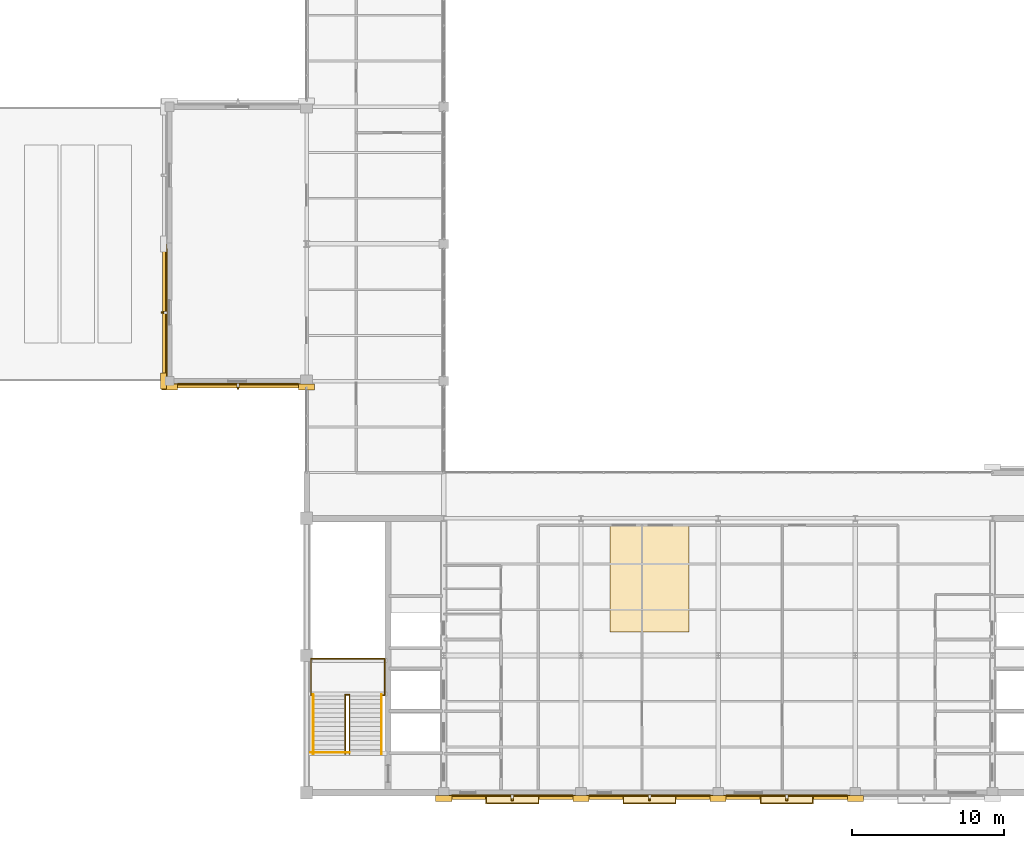
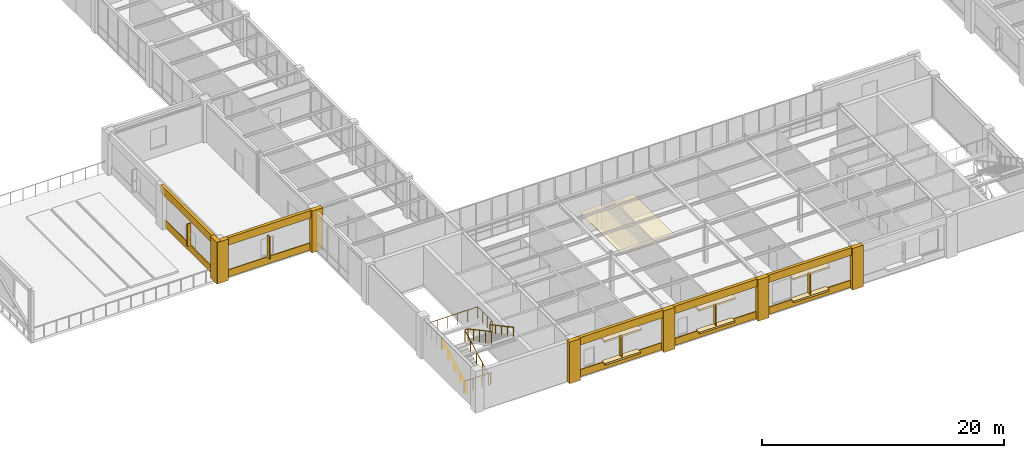
# One storey, part 92 of 97: 24 coverings, 5 railings, 5 shading devices.
"""IFC4 building model written with IfcOpenShell, lengths in metres."""

import ifcopenshell
import ifcopenshell.guid

model = None  # the IFC model being written
_history = None  # IfcOwnerHistory: only IFC2X3 demands one
_inside = {}  # id of a spatial element -> (the spatial element, [elements in it])
_under = {}  # id of a project, library or spatial element -> (it, [spatial elements below it])
_declared = {}  # id of a project -> (the project, [libraries it declares])
_typed = {}  # id of a type object -> (the type object, [elements of that type])
_made_of = {}  # id of a material, layer set ... -> (it, [elements and type objects made of it])


def new_model(schema):
    """Start an empty IFC model of exactly this schema.

    Asked for "IFC4X3", IfcOpenShell would pick the latest addendum, in which some entities
    have other attributes; the version numbers below select the first issue.
    IFC2X3 requires an IfcOwnerHistory on every rooted entity: one is made here for all.
    """
    global model, _history
    if schema == "IFC4X3":
        model = ifcopenshell.file(schema_version=(4, 3, 0, 0))
    else:
        model = ifcopenshell.file(schema=schema)
    _inside.clear()
    _under.clear()
    _declared.clear()
    _typed.clear()
    _made_of.clear()
    _history = None
    if model.schema == "IFC2X3":
        org = make("IfcOrganization", Name="unknown")
        user = make(
            "IfcPersonAndOrganization",
            ThePerson=make("IfcPerson", FamilyName="unknown"),
            TheOrganization=org,
        )
        app = make(
            "IfcApplication",
            ApplicationDeveloper=org,
            Version="unknown",
            ApplicationFullName="unknown",
            ApplicationIdentifier="unknown",
        )
        _history = make(
            "IfcOwnerHistory",
            OwningUser=user,
            OwningApplication=app,
            ChangeAction="ADDED",
            CreationDate=0,
        )
    return model


def make(cls, **values):
    """One entity of the class cls with the attributes given. An attribute that is None is left unset."""
    return model.create_entity(
        cls, **{name: value for name, value in values.items() if value is not None}
    )


def rooted(cls, **values):
    """An entity with a GlobalId (a new one), such as an element, a storey or a relation."""
    return make(cls, GlobalId=ifcopenshell.guid.new(), OwnerHistory=_history, **values)


def si_unit(unit_type, name, prefix=None):
    """IfcSIUnit, for example si_unit("LENGTHUNIT", "METRE", prefix="MILLI")."""
    return make("IfcSIUnit", UnitType=unit_type, Prefix=prefix, Name=name)


def assignment(units):
    """IfcUnitAssignment: the units of a project."""
    return None if units is None else make("IfcUnitAssignment", Units=units)


def point(xyz):
    """IfcCartesianPoint."""
    return None if xyz is None else make("IfcCartesianPoint", Coordinates=xyz)


def direction(xyz):
    """IfcDirection."""
    return None if xyz is None else make("IfcDirection", DirectionRatios=xyz)


def frame(location, z_axis=None, x_axis=None):
    """IfcAxis2Placement3D, a coordinate frame: its origin and axes. An axis left out is left unset."""
    return make(
        "IfcAxis2Placement3D",
        Location=point(location),
        Axis=direction(z_axis),
        RefDirection=direction(x_axis),
    )


def frame_2d(location, x_axis=None):
    """IfcAxis2Placement2D, a coordinate frame in the plane: its origin and x axis."""
    return make(
        "IfcAxis2Placement2D", Location=point(location), RefDirection=direction(x_axis)
    )


def origin():
    """The frame at (0, 0, 0) with its axes left unset."""
    return frame((0.0, 0.0, 0.0))


def origin_2d():
    """The frame at (0, 0) in the plane with its x axis left unset."""
    return frame_2d((0.0, 0.0))


def place(relative_to, where):
    """IfcLocalPlacement: puts the frame where relative to a parent placement (None: the world)."""
    return make(
        "IfcLocalPlacement", PlacementRelTo=relative_to, RelativePlacement=where
    )


def context(
    kind, dimensions, precision=None, world=None, true_north=None, identifier=None
):
    """IfcGeometricRepresentationContext, for example the 3D "Model" context."""
    return make(
        "IfcGeometricRepresentationContext",
        ContextIdentifier=identifier,
        ContextType=kind,
        CoordinateSpaceDimension=dimensions,
        Precision=precision,
        WorldCoordinateSystem=world,
        TrueNorth=true_north,
    )


def subcontext(parent, identifier, kind, view, scale=None):
    """IfcGeometricRepresentationSubContext, for example "Body" below "Model"."""
    return make(
        "IfcGeometricRepresentationSubContext",
        ContextIdentifier=identifier,
        ContextType=kind,
        ParentContext=parent,
        TargetScale=scale,
        TargetView=view,
    )


def project(units=None, contexts=None):
    """IfcProject with its units and contexts."""
    return rooted(
        "IfcProject",
        Name="project",
        RepresentationContexts=contexts,
        UnitsInContext=assignment(units),
    )


def spatial(cls, under=None, at=None, **own):
    """A site, building, storey or space (cls), placed at a placement, below another one or the project."""
    s = rooted(cls, ObjectPlacement=at, **own)
    if under is not None:
        _under.setdefault(under.id(), (under, []))[1].append(s)
    return s


def profile(cls, at=None, kind="AREA", **sizes):
    """A parametric profile (cls). Its sizes go by their IFC names, for example OverallWidth=200.0."""
    return make(cls, ProfileType=kind, Position=at, **sizes)


def rectangle(**sizes):
    """IfcRectangleProfileDef."""
    return profile("IfcRectangleProfileDef", **sizes)


def circle(**sizes):
    """IfcCircleProfileDef."""
    return profile("IfcCircleProfileDef", **sizes)


def extrude(swept, where, along, depth):
    """IfcExtrudedAreaSolid: the profile swept, set in the frame where, extruded along a direction by depth."""
    return make(
        "IfcExtrudedAreaSolid",
        SweptArea=swept,
        Position=where,
        ExtrudedDirection=direction(along),
        Depth=depth,
    )


def shape(context_of_items, identifier, shape_type, items):
    """IfcShapeRepresentation: the items that make up one representation, for example the "Body"."""
    return make(
        "IfcShapeRepresentation",
        ContextOfItems=context_of_items,
        RepresentationIdentifier=identifier,
        RepresentationType=shape_type,
        Items=items,
    )


def material(Name=None, Category=None):
    """IfcMaterial."""
    return make("IfcMaterial", Name=Name, Category=Category)


def layer(
    of_material, thickness, ventilated=None, Name=None, Category=None, Priority=None
):
    """IfcMaterialLayer: one layer of a wall or slab, of a material (None: an air gap)."""
    return make(
        "IfcMaterialLayer",
        Material=of_material,
        LayerThickness=thickness,
        IsVentilated=ventilated,
        Name=Name,
        Category=Category,
        Priority=Priority,
    )


def layer_set(layers, Name=None):
    """IfcMaterialLayerSet."""
    return make("IfcMaterialLayerSet", MaterialLayers=layers, LayerSetName=Name)


def made_of(thing, what):
    """Note that an element or type object is made of a material, layer set ...; save() writes the relation."""
    if what is not None:
        _made_of.setdefault(what.id(), (what, []))[1].append(thing)
    return thing


def type_object(cls, material=None, **own):
    """A type object (cls), such as IfcWallType, which elements share."""
    return made_of(rooted(cls, **own), material)


def element(
    cls,
    number,
    at=None,
    inside=None,
    cuts=None,
    type_object=None,
    material=None,
    context=None,
    identifier="Body",
    shape_type=None,
    held_by="IfcProductDefinitionShape",
    body=None,
    shapes=None,
    **own,
):
    """One element of the class cls, such as IfcWall. Its Tag is "e" and its number.

    at: its placement. inside: the storey or other place that contains it. cuts: it is an
    opening in that element (IfcRelVoidsElement). A single representation is given by context,
    identifier, shape_type and body (its items); several are given by shapes. held_by: the class
    of the entity that holds the representations. save() writes the other relations.
    """
    e = rooted(cls, Tag="e%d" % number, ObjectPlacement=at, **own)
    if body is not None:
        shapes = [shape(context, identifier, shape_type, body)]
    if shapes is not None:
        e.Representation = make(held_by, Representations=shapes)
    if inside is not None:
        _inside.setdefault(inside.id(), (inside, []))[1].append(e)
    if cuts is not None:
        rooted(
            "IfcRelVoidsElement", RelatingBuildingElement=cuts, RelatedOpeningElement=e
        )
    if type_object is not None:
        _typed.setdefault(type_object.id(), (type_object, []))[1].append(e)
    return made_of(e, material)


def aggregate(whole, parts):
    """IfcRelAggregates: a whole, such as a stair, and the parts it consists of."""
    return rooted("IfcRelAggregates", RelatingObject=whole, RelatedObjects=parts)


def save(model, path):
    """Write the relations noted so far, then the file.

    IfcRelAggregates (storeys below a building ...), IfcRelContainedInSpatialStructure (elements
    in a storey), IfcRelDefinesByType, IfcRelAssociatesMaterial and IfcRelDeclares: one each for
    every whole, place, type object, material and project.
    """
    for whole, parts in _under.values():
        aggregate(whole, parts)
    for where, things in _inside.values():
        rooted(
            "IfcRelContainedInSpatialStructure",
            RelatedElements=things,
            RelatingStructure=where,
        )
    for kind, things in _typed.values():
        rooted("IfcRelDefinesByType", RelatedObjects=things, RelatingType=kind)
    for what, things in _made_of.values():
        rooted("IfcRelAssociatesMaterial", RelatedObjects=things, RelatingMaterial=what)
    for by, libraries in _declared.values():
        rooted("IfcRelDeclares", RelatingContext=by, RelatedDefinitions=libraries)
    model.write(path)


model = new_model("IFC4")

# Units and contexts
model_context = context("Model", 3, precision=1e-05, world=origin(), true_north=direction((0.0, 1.0)))
body_context = subcontext(model_context, "Body", "Model", "MODEL_VIEW")
ifc_project = project(units=[si_unit("LENGTHUNIT", "METRE"), si_unit("AREAUNIT", "SQUARE_METRE"), si_unit("VOLUMEUNIT", "CUBIC_METRE"), si_unit("PLANEANGLEUNIT", "RADIAN"), si_unit("MASSUNIT", "GRAM", prefix="KILO")], contexts=[model_context])

# Site, building, storey
site_placement = place(None, origin())
site = spatial("IfcSite", under=ifc_project, at=site_placement, CompositionType="ELEMENT")
building_placement = place(site_placement, origin())
building = spatial("IfcBuilding", under=site, at=building_placement, Name="Lykobir Media Centre", CompositionType="ELEMENT")
storey_placement = place(building_placement, frame((0.0, 0.0, 23.39990234375)))
storey = spatial("IfcBuildingStorey", under=building, at=storey_placement, Name="L05", CompositionType="ELEMENT", Elevation=23.39990234375)

# Coverings
ifc_material_1 = material(Name="Glazed Turquoise Terracotta", Category="masonry")
ifc_layer_1 = layer(ifc_material_1, 0.0400390625, Name="Glazed Turquoise Terracotta")
ifc_layer_set_1 = layer_set([ifc_layer_1], Name="Glazed Turquoise Terracotta")
covering_type_1 = type_object("IfcCoveringType", Name="CLD-TERR", PredefinedType="CLADDING", material=ifc_layer_set_1)
covering_1_placement = place(storey_placement, frame((17.803955078125, 31.5, 0.080078125), z_axis=(0.0, 0.0, 1.0), x_axis=(0.0, -1.0, 0.0)))
element("IfcCovering", 1, at=covering_1_placement, inside=storey, type_object=covering_type_1, Name="Facade spandrel apron 816", PredefinedType="CLADDING", context=body_context, shape_type="SweptSolid", body=[
    extrude(rectangle(XDim=8.389892578125, YDim=0.10009765625, at=origin_2d()), origin(), (0.0, 0.0, 1.0), 0.719970703125),
])
for number, where, z_axis, x_axis, name in (
    (2, (22.5, 26.803955078125, 0.080078125), (0.0, 0.0, 1.0), (1.0, 0.0, 0.0), "Facade spandrel apron 823"),
    (3, (40.5, -0.196044921875, 0.080078125), (0.0, 0.0, 1.0), (1.0, 0.0, 0.0), "Facade spandrel apron 827"),
    (4, (49.5, -0.196044921875, 0.080078125), (0.0, 0.0, 1.0), (1.0, 0.0, 0.0), "Facade spandrel apron 832"),
    (5, (58.5, -0.196044921875, 0.080078125), (0.0, 0.0, 1.0), (1.0, 0.0, 0.0), "Facade spandrel apron 837"),
):
    element("IfcCovering", number, at=place(storey_placement, frame(where, z_axis=z_axis, x_axis=x_axis)), inside=storey, type_object=covering_type_1, Name=name, PredefinedType="CLADDING", context=body_context, shape_type="SweptSolid", body=[
        extrude(rectangle(XDim=7.929931640625, YDim=0.10009765625, at=origin_2d()), origin(), (0.0, 0.0, 1.0), 0.719970703125),
    ])
ifc_material_2 = material(Name="Honed Travertine Stone", Category="masonry")
ifc_layer_2 = layer(ifc_material_2, 0.050048828125, Name="Honed Travertine Stone")
ifc_layer_set_2 = layer_set([ifc_layer_2], Name="Honed Travertine Stone")
covering_type_2 = type_object("IfcCoveringType", Name="CLD-TRAV", PredefinedType="CLADDING", material=ifc_layer_set_2)
covering_2_placement = place(storey_placement, frame((17.6201171875, 27.0, 0.0), z_axis=(0.0, 0.0, 1.0), x_axis=(0.0, -1.0, 0.0)))
element("IfcCovering", 6, at=covering_2_placement, inside=storey, type_object=covering_type_2, Name="Travertine column pier 814", PredefinedType="CLADDING", context=body_context, shape_type="SweptSolid", body=[
    extrude(rectangle(XDim=1.06005859375, YDim=0.39990234375, at=origin_2d()), origin(), (0.0, 0.0, 1.0), 4.199951171875),
])
covering_3_placement = place(storey_placement, frame((17.699951171875, 31.5, 3.43994140625), z_axis=(0.0, 0.0, 1.0), x_axis=(0.0, -1.0, 0.0)))
element("IfcCovering", 7, at=covering_3_placement, inside=storey, type_object=covering_type_2, Name="Travertine spandrel stringcourse 815", PredefinedType="CLADDING", context=body_context, shape_type="SweptSolid", body=[
    extrude(rectangle(XDim=9.0, YDim=0.280029296875, at=origin_2d()), origin(), (0.0, 0.0, 1.0), 0.760009765625),
])
for number, where, z_axis, x_axis, name in (
    (8, (18.0, 26.6201171875, 0.0), (0.0, 0.0, 1.0), (1.0, 0.0, 0.0), "Travertine column pier 820"),
    (9, (27.0, 26.6201171875, 0.0), (0.0, 0.0, 1.0), (1.0, 0.0, 0.0), "Travertine column pier 821"),
):
    element("IfcCovering", number, at=place(storey_placement, frame(where, z_axis=z_axis, x_axis=x_axis)), inside=storey, type_object=covering_type_2, Name=name, PredefinedType="CLADDING", context=body_context, shape_type="SweptSolid", body=[
        extrude(rectangle(XDim=1.06005859375, YDim=0.39990234375, at=origin_2d()), origin(), (0.0, 0.0, 1.0), 4.199951171875),
    ])
covering_4_placement = place(storey_placement, frame((22.5, 26.699951171875, 3.43994140625), z_axis=(0.0, 0.0, 1.0), x_axis=(1.0, 0.0, 0.0)))
element("IfcCovering", 10, at=covering_4_placement, inside=storey, type_object=covering_type_2, Name="Travertine spandrel stringcourse 822", PredefinedType="CLADDING", context=body_context, shape_type="SweptSolid", body=[
    extrude(rectangle(XDim=9.0, YDim=0.280029296875, at=origin_2d()), origin(), (0.0, 0.0, 1.0), 0.760009765625),
])
for number, where, z_axis, x_axis, name in (
    (11, (36.0, -0.3798828125, 0.0), (0.0, 0.0, 1.0), (1.0, 0.0, 0.0), "Travertine column pier 824"),
    (12, (45.0, -0.3798828125, 0.0), (0.0, 0.0, 1.0), (1.0, 0.0, 0.0), "Travertine column pier 825"),
):
    element("IfcCovering", number, at=place(storey_placement, frame(where, z_axis=z_axis, x_axis=x_axis)), inside=storey, type_object=covering_type_2, Name=name, PredefinedType="CLADDING", context=body_context, shape_type="SweptSolid", body=[
        extrude(rectangle(XDim=1.06005859375, YDim=0.39990234375, at=origin_2d()), origin(), (0.0, 0.0, 1.0), 4.199951171875),
    ])
covering_5_placement = place(storey_placement, frame((40.5, -0.300048828125, 3.43994140625), z_axis=(0.0, 0.0, 1.0), x_axis=(1.0, 0.0, 0.0)))
element("IfcCovering", 13, at=covering_5_placement, inside=storey, type_object=covering_type_2, Name="Travertine spandrel stringcourse 826", PredefinedType="CLADDING", context=body_context, shape_type="SweptSolid", body=[
    extrude(rectangle(XDim=9.0, YDim=0.280029296875, at=origin_2d()), origin(), (0.0, 0.0, 1.0), 0.760009765625),
])
covering_6_placement = place(storey_placement, frame((40.5, -0.429931640625, 0.77001953125), z_axis=(0.0, 0.0, 1.0), x_axis=(1.0, 0.0, 0.0)))
element("IfcCovering", 14, at=covering_6_placement, inside=storey, type_object=covering_type_2, Name="Ottoman Cumba sill 828", PredefinedType="CLADDING", context=body_context, shape_type="SweptSolid", body=[
    extrude(rectangle(XDim=3.39990234375, YDim=0.52001953125, at=origin_2d()), origin(), (0.0, 0.0, 1.0), 0.179931640625),
])
covering_7_placement = place(storey_placement, frame((40.5, -0.429931640625, 3.09033203125), z_axis=(0.0, 0.0, 1.0), x_axis=(1.0, 0.0, 0.0)))
element("IfcCovering", 15, at=covering_7_placement, inside=storey, type_object=covering_type_2, Name="Ottoman Cumba canopy 829", PredefinedType="CLADDING", context=body_context, shape_type="SweptSolid", body=[
    extrude(rectangle(XDim=3.5, YDim=0.60009765625, at=origin_2d()), origin(), (0.0, 0.0, 1.0), 0.179931640625),
])
covering_8_placement = place(storey_placement, frame((54.0, -0.3798828125, 0.0), z_axis=(0.0, 0.0, 1.0), x_axis=(1.0, 0.0, 0.0)))
element("IfcCovering", 16, at=covering_8_placement, inside=storey, type_object=covering_type_2, Name="Travertine column pier 830", PredefinedType="CLADDING", context=body_context, shape_type="SweptSolid", body=[
    extrude(rectangle(XDim=1.06005859375, YDim=0.39990234375, at=origin_2d()), origin(), (0.0, 0.0, 1.0), 4.199951171875),
])
covering_9_placement = place(storey_placement, frame((49.5, -0.300048828125, 3.43994140625), z_axis=(0.0, 0.0, 1.0), x_axis=(1.0, 0.0, 0.0)))
element("IfcCovering", 17, at=covering_9_placement, inside=storey, type_object=covering_type_2, Name="Travertine spandrel stringcourse 831", PredefinedType="CLADDING", context=body_context, shape_type="SweptSolid", body=[
    extrude(rectangle(XDim=9.0, YDim=0.280029296875, at=origin_2d()), origin(), (0.0, 0.0, 1.0), 0.760009765625),
])
covering_10_placement = place(storey_placement, frame((49.5, -0.429931640625, 0.77001953125), z_axis=(0.0, 0.0, 1.0), x_axis=(1.0, 0.0, 0.0)))
element("IfcCovering", 18, at=covering_10_placement, inside=storey, type_object=covering_type_2, Name="Ottoman Cumba sill 833", PredefinedType="CLADDING", context=body_context, shape_type="SweptSolid", body=[
    extrude(rectangle(XDim=3.39990234375, YDim=0.52001953125, at=origin_2d()), origin(), (0.0, 0.0, 1.0), 0.179931640625),
])
covering_11_placement = place(storey_placement, frame((49.5, -0.429931640625, 3.09033203125), z_axis=(0.0, 0.0, 1.0), x_axis=(1.0, 0.0, 0.0)))
element("IfcCovering", 19, at=covering_11_placement, inside=storey, type_object=covering_type_2, Name="Ottoman Cumba canopy 834", PredefinedType="CLADDING", context=body_context, shape_type="SweptSolid", body=[
    extrude(rectangle(XDim=3.5, YDim=0.60009765625, at=origin_2d()), origin(), (0.0, 0.0, 1.0), 0.179931640625),
])
covering_12_placement = place(storey_placement, frame((63.0, -0.3798828125, 0.0), z_axis=(0.0, 0.0, 1.0), x_axis=(1.0, 0.0, 0.0)))
element("IfcCovering", 20, at=covering_12_placement, inside=storey, type_object=covering_type_2, Name="Travertine column pier 835", PredefinedType="CLADDING", context=body_context, shape_type="SweptSolid", body=[
    extrude(rectangle(XDim=1.06005859375, YDim=0.39990234375, at=origin_2d()), origin(), (0.0, 0.0, 1.0), 4.199951171875),
])
covering_13_placement = place(storey_placement, frame((58.5, -0.300048828125, 3.43994140625), z_axis=(0.0, 0.0, 1.0), x_axis=(1.0, 0.0, 0.0)))
element("IfcCovering", 21, at=covering_13_placement, inside=storey, type_object=covering_type_2, Name="Travertine spandrel stringcourse 836", PredefinedType="CLADDING", context=body_context, shape_type="SweptSolid", body=[
    extrude(rectangle(XDim=9.0, YDim=0.280029296875, at=origin_2d()), origin(), (0.0, 0.0, 1.0), 0.760009765625),
])
covering_14_placement = place(storey_placement, frame((58.5, -0.429931640625, 0.77001953125), z_axis=(0.0, 0.0, 1.0), x_axis=(1.0, 0.0, 0.0)))
element("IfcCovering", 22, at=covering_14_placement, inside=storey, type_object=covering_type_2, Name="Ottoman Cumba sill 838", PredefinedType="CLADDING", context=body_context, shape_type="SweptSolid", body=[
    extrude(rectangle(XDim=3.39990234375, YDim=0.52001953125, at=origin_2d()), origin(), (0.0, 0.0, 1.0), 0.179931640625),
])
covering_15_placement = place(storey_placement, frame((58.5, -0.429931640625, 3.09033203125), z_axis=(0.0, 0.0, 1.0), x_axis=(1.0, 0.0, 0.0)))
element("IfcCovering", 23, at=covering_15_placement, inside=storey, type_object=covering_type_2, Name="Ottoman Cumba canopy 839", PredefinedType="CLADDING", context=body_context, shape_type="SweptSolid", body=[
    extrude(rectangle(XDim=3.5, YDim=0.60009765625, at=origin_2d()), origin(), (0.0, 0.0, 1.0), 0.179931640625),
])
ifc_material_3 = material(Name="Acoustic Gypsum Board", Category="gypsum")
ifc_layer_3 = layer(ifc_material_3, 0.0400390625, Name="Acoustic Gypsum Board")
ifc_layer_set_3 = layer_set([ifc_layer_3], Name="Acoustic Gypsum Board")
covering_type_3 = type_object("IfcCoveringType", Name="COV-CEIL", PredefinedType="CEILING", material=ifc_layer_set_3)
covering_16_placement = place(storey_placement, frame((49.5, 14.080078125, 2.300048828125), z_axis=(0.0, 0.0, 1.0), x_axis=(1.0, 0.0, 0.0)))
element("IfcCovering", 24, at=covering_16_placement, inside=storey, type_object=covering_type_3, Name="L05 acoustic suspended ceiling 6", PredefinedType="CEILING", context=body_context, shape_type="SweptSolid", body=[
    extrude(rectangle(XDim=5.199951171875, YDim=7.050048828125, at=origin_2d()), origin(), (0.0, 0.0, 1.0), 0.0400390625),
])

# Railings
ifc_material_4 = material(Name="Steel S355", Category="steel")
railing_type_1 = type_object("IfcRailingType", Name="GR-1200", PredefinedType="BALUSTRADE", material=ifc_material_4)
railing_1_placement = place(storey_placement, frame((27.27001953125, 2.6298828125, 0.0)))
element("IfcRailing", 25, at=railing_1_placement, inside=storey, type_object=railing_type_1, Name="ST-1 L05 arrival well guard", PredefinedType="BALUSTRADE", context=body_context, shape_type="SweptSolid", body=[
    extrude(circle(Radius=0.02392578125, at=origin_2d()), frame((0.0, 0.0, 1.17578125), z_axis=(1.0, 0.0, 0.0), x_axis=(0.0, 1.0, 0.0)), (0.0, 0.0, 1.0), 2.5400390625),
    extrude(circle(Radius=0.02099609375, at=origin_2d()), origin(), (0.0, 0.0, 1.0), 1.15185546875),
    extrude(circle(Radius=0.02099609375, at=origin_2d()), frame((0.8466796875, 0.0, 0.0)), (0.0, 0.0, 1.0), 1.15185546875),
    extrude(circle(Radius=0.02099609375, at=origin_2d()), frame((1.693359375, 0.0, 0.0)), (0.0, 0.0, 1.0), 1.15185546875),
    extrude(circle(Radius=0.02099609375, at=origin_2d()), frame((2.5400390625, 0.0, 0.0)), (0.0, 0.0, 1.0), 1.15185546875),
])
railing_2_placement = place(storey_placement, frame((29.530029296875, 2.530029296875, 0.0)))
element("IfcRailing", 26, at=railing_2_placement, inside=storey, type_object=railing_type_1, Name="ST-1 L05 inner well and slot guard", PredefinedType="BALUSTRADE", context=body_context, shape_type="SweptSolid", body=[
    extrude(circle(Radius=0.02392578125, at=origin_2d()), frame((0.0, 0.0, 1.17578125), z_axis=(0.0, 0.880456940745, 0.474126117709), x_axis=(-1.0, 0.0, 0.0)), (0.0, 0.0, 1.0), 4.429443359375),
    extrude(circle(Radius=0.02392578125, at=origin_2d()), frame((0.0, 3.89990234375, 3.27587890625), z_axis=(1.0, 0.0, 0.0), x_axis=(0.0, 1.0, 0.0)), (0.0, 0.0, 1.0), 0.280029296875),
    extrude(circle(Radius=0.02392578125, at=origin_2d()), frame((0.280029296875, 3.89990234375, 3.27587890625), z_axis=(0.0, -0.880456940745, 0.474126117709), x_axis=(1.0, 0.0, 0.0)), (0.0, 0.0, 1.0), 4.429443359375),
    extrude(circle(Radius=0.02099609375, at=origin_2d()), origin(), (0.0, 0.0, 1.0), 1.15185546875),
    extrude(circle(Radius=0.02099609375, at=origin_2d()), frame((0.0, 0.97509765625, 0.52490234375)), (0.0, 0.0, 1.0), 1.15185546875),
    extrude(circle(Radius=0.02099609375, at=origin_2d()), frame((0.0, 1.949951171875, 1.050048828125)), (0.0, 0.0, 1.0), 1.15185546875),
    extrude(circle(Radius=0.02099609375, at=origin_2d()), frame((0.0, 2.9248046875, 1.5751953125)), (0.0, 0.0, 1.0), 1.15185546875),
    extrude(circle(Radius=0.02099609375, at=origin_2d()), frame((0.0, 3.89990234375, 2.10009765625)), (0.0, 0.0, 1.0), 1.15185546875),
    extrude(circle(Radius=0.02099609375, at=origin_2d()), frame((0.280029296875, 3.89990234375, 2.10009765625)), (0.0, 0.0, 1.0), 1.15185546875),
    extrude(circle(Radius=0.02099609375, at=origin_2d()), frame((0.280029296875, 2.9248046875, 2.625)), (0.0, 0.0, 1.0), 1.15185546875),
    extrude(circle(Radius=0.02099609375, at=origin_2d()), frame((0.280029296875, 1.949951171875, 3.150146484375)), (0.0, 0.0, 1.0), 1.15185546875),
    extrude(circle(Radius=0.02099609375, at=origin_2d()), frame((0.280029296875, 0.97509765625, 3.67529296875)), (0.0, 0.0, 1.0), 1.15185546875),
    extrude(circle(Radius=0.02099609375, at=origin_2d()), frame((0.280029296875, 0.0, 4.2001953125)), (0.0, 0.0, 1.0), 1.15185546875),
])
railing_3_placement = place(storey_placement, frame((27.389892578125, 6.389892578125, 2.10009765625)))
element("IfcRailing", 27, at=railing_3_placement, inside=storey, type_object=railing_type_1, Name="ST-1 L05 half-landing perimeter guard", PredefinedType="BALUSTRADE", context=body_context, shape_type="SweptSolid", body=[
    extrude(circle(Radius=0.02392578125, at=origin_2d()), frame((0.0, 0.0, 1.17578125), z_axis=(-1.0, 0.0, 0.0), x_axis=(0.0, -1.0, 0.0)), (0.0, 0.0, 1.0), 0.10986328125),
    extrude(circle(Radius=0.02392578125, at=origin_2d()), frame((-0.10986328125, 0.0, 1.17578125), z_axis=(0.0, 1.0, 0.0), x_axis=(-1.0, 0.0, 0.0)), (0.0, 0.0, 1.0), 2.400146484375),
    extrude(circle(Radius=0.02392578125, at=origin_2d()), frame((-0.10986328125, 2.400146484375, 1.17578125), z_axis=(1.0, 0.0, 0.0), x_axis=(0.0, 1.0, 0.0)), (0.0, 0.0, 1.0), 4.840087890625),
    extrude(circle(Radius=0.02392578125, at=origin_2d()), frame((4.730224609375, 2.400146484375, 1.17578125), z_axis=(0.0, -1.0, 0.0), x_axis=(1.0, 0.0, 0.0)), (0.0, 0.0, 1.0), 2.400146484375),
    extrude(circle(Radius=0.02392578125, at=origin_2d()), frame((4.730224609375, 0.0, 1.17578125), z_axis=(-1.0, 0.0, 0.0), x_axis=(0.0, -1.0, 0.0)), (0.0, 0.0, 1.0), 0.170166015625),
    extrude(circle(Radius=0.02099609375, at=origin_2d()), origin(), (0.0, 0.0, 1.0), 1.15185546875),
    extrude(circle(Radius=0.02099609375, at=origin_2d()), frame((-0.10986328125, 0.0, 0.0)), (0.0, 0.0, 1.0), 1.15185546875),
    extrude(circle(Radius=0.02099609375, at=origin_2d()), frame((-0.10986328125, 0.800048828125, 0.0)), (0.0, 0.0, 1.0), 1.15185546875),
    extrude(circle(Radius=0.02099609375, at=origin_2d()), frame((-0.10986328125, 1.60009765625, 0.0)), (0.0, 0.0, 1.0), 1.15185546875),
    extrude(circle(Radius=0.02099609375, at=origin_2d()), frame((-0.10986328125, 2.400146484375, 0.0)), (0.0, 0.0, 1.0), 1.15185546875),
    extrude(circle(Radius=0.02099609375, at=origin_2d()), frame((0.858154296875, 2.400146484375, 0.0)), (0.0, 0.0, 1.0), 1.15185546875),
    extrude(circle(Radius=0.02099609375, at=origin_2d()), frame((1.826171875, 2.400146484375, 0.0)), (0.0, 0.0, 1.0), 1.15185546875),
    extrude(circle(Radius=0.02099609375, at=origin_2d()), frame((2.794189453125, 2.400146484375, 0.0)), (0.0, 0.0, 1.0), 1.15185546875),
    extrude(circle(Radius=0.02099609375, at=origin_2d()), frame((3.76220703125, 2.400146484375, 0.0)), (0.0, 0.0, 1.0), 1.15185546875),
    extrude(circle(Radius=0.02099609375, at=origin_2d()), frame((4.730224609375, 2.400146484375, 0.0)), (0.0, 0.0, 1.0), 1.15185546875),
    extrude(circle(Radius=0.02099609375, at=origin_2d()), frame((4.730224609375, 1.60009765625, 0.0)), (0.0, 0.0, 1.0), 1.15185546875),
    extrude(circle(Radius=0.02099609375, at=origin_2d()), frame((4.730224609375, 0.800048828125, 0.0)), (0.0, 0.0, 1.0), 1.15185546875),
    extrude(circle(Radius=0.02099609375, at=origin_2d()), frame((4.730224609375, 0.0, 0.0)), (0.0, 0.0, 1.0), 1.15185546875),
    extrude(circle(Radius=0.02099609375, at=origin_2d()), frame((4.56005859375, 0.0, 0.0)), (0.0, 0.0, 1.0), 1.15185546875),
])
railing_type_2 = type_object("IfcRailingType", Name="HR-0900", PredefinedType="HANDRAIL", material=ifc_material_4)
railing_4_placement = place(storey_placement, frame((27.429931640625, 2.530029296875, 0.0)))
element("IfcRailing", 28, at=railing_4_placement, inside=storey, type_object=railing_type_2, Name="ST-1 L05 F1 wall handrail", PredefinedType="HANDRAIL", context=body_context, shape_type="SweptSolid", body=[
    extrude(circle(Radius=0.02392578125, at=origin_2d()), frame((0.0, 0.0, 0.8759765625), z_axis=(0.0, 0.880456940745, 0.474126117709), x_axis=(-1.0, 0.0, 0.0)), (0.0, 0.0, 1.0), 4.429443359375),
    extrude(circle(Radius=0.02099609375, at=origin_2d()), origin(), (0.0, 0.0, 1.0), 0.851806640625),
    extrude(circle(Radius=0.02099609375, at=origin_2d()), frame((0.0, 0.97509765625, 0.52490234375)), (0.0, 0.0, 1.0), 0.851806640625),
    extrude(circle(Radius=0.02099609375, at=origin_2d()), frame((0.0, 1.949951171875, 1.050048828125)), (0.0, 0.0, 1.0), 0.851806640625),
    extrude(circle(Radius=0.02099609375, at=origin_2d()), frame((0.0, 2.9248046875, 1.5751953125)), (0.0, 0.0, 1.0), 0.851806640625),
    extrude(circle(Radius=0.02099609375, at=origin_2d()), frame((0.0, 3.89990234375, 2.10009765625)), (0.0, 0.0, 1.0), 0.851806640625),
])
railing_5_placement = place(storey_placement, frame((31.909912109375, 6.429931640625, 2.10009765625)))
element("IfcRailing", 29, at=railing_5_placement, inside=storey, type_object=railing_type_2, Name="ST-1 L05 F2 wall handrail", PredefinedType="HANDRAIL", context=body_context, shape_type="SweptSolid", body=[
    extrude(circle(Radius=0.02392578125, at=origin_2d()), frame((0.0, 0.0, 0.8759765625), z_axis=(0.0, -0.880456940745, 0.474126117709), x_axis=(1.0, 0.0, 0.0)), (0.0, 0.0, 1.0), 4.429443359375),
    extrude(circle(Radius=0.02099609375, at=origin_2d()), origin(), (0.0, 0.0, 1.0), 0.851806640625),
    extrude(circle(Radius=0.02099609375, at=origin_2d()), frame((0.0, -0.97509765625, 0.52490234375)), (0.0, 0.0, 1.0), 0.851806640625),
    extrude(circle(Radius=0.02099609375, at=origin_2d()), frame((0.0, -1.949951171875, 1.050048828125)), (0.0, 0.0, 1.0), 0.851806640625),
    extrude(circle(Radius=0.02099609375, at=origin_2d()), frame((0.0, -2.9248046875, 1.5751953125)), (0.0, 0.0, 1.0), 0.851806640625),
    extrude(circle(Radius=0.02099609375, at=origin_2d()), frame((0.0, -3.89990234375, 2.10009765625)), (0.0, 0.0, 1.0), 0.851806640625),
])

# Shading devices
shading_device_type = type_object("IfcShadingDeviceType", Name="SHD-FIN", PredefinedType="USERDEFINED", material=ifc_material_1)
for number, where, z_axis, x_axis, name in (
    (30, (17.64990234375, 31.5, 0.72509765625), (0.0, 0.0, 1.0), (0.0, -1.0, 0.0), "Terracotta shading fin 103"),
    (31, (22.5, 26.64990234375, 0.72509765625), (0.0, 0.0, 1.0), (1.0, 0.0, 0.0), "Terracotta shading fin 105"),
    (32, (40.5, -0.35009765625, 0.72509765625), (0.0, 0.0, 1.0), (1.0, 0.0, 0.0), "Terracotta shading fin 106"),
    (33, (49.5, -0.35009765625, 0.72509765625), (0.0, 0.0, 1.0), (1.0, 0.0, 0.0), "Terracotta shading fin 107"),
    (34, (58.5, -0.35009765625, 0.72509765625), (0.0, 0.0, 1.0), (1.0, 0.0, 0.0), "Terracotta shading fin 108"),
):
    element("IfcShadingDevice", number, at=place(storey_placement, frame(where, z_axis=z_axis, x_axis=x_axis)), inside=storey, type_object=shading_device_type, Name=name, ObjectType="FIN", PredefinedType="USERDEFINED", context=body_context, shape_type="SweptSolid", body=[
        extrude(rectangle(XDim=0.1201171875, YDim=0.35009765625, at=origin_2d()), origin(), (0.0, 0.0, 1.0), 2.25),
    ])

save(model, "model.ifc")
